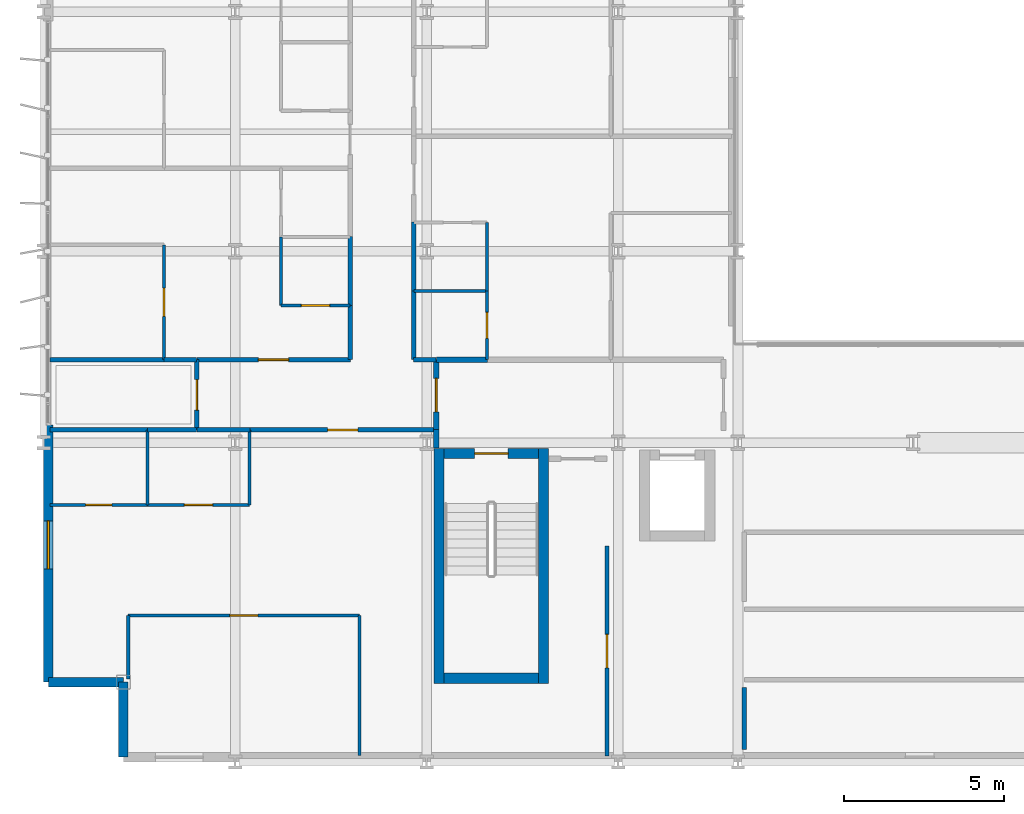
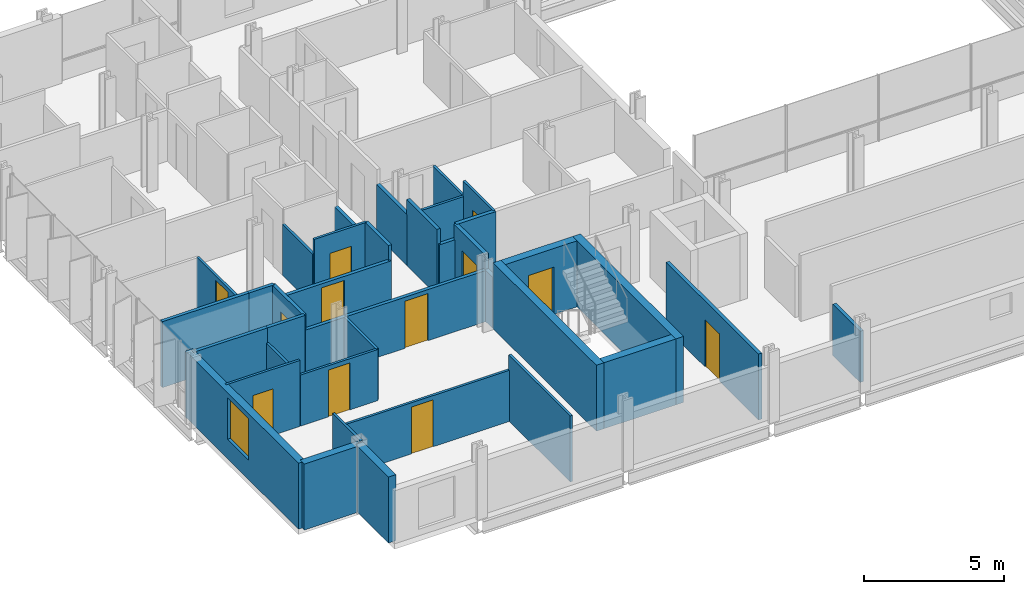
# One storey, part 27 of 39: 38 walls, 12 doors, 1 window, 13 openings.
"""IFC4 building model written with IfcOpenShell, lengths in metres."""

from ifc_helpers import new_model, si_unit, direction, frame, frame_2d, origin, place, context, subcontext, project, spatial, rectangle, extrude, material, layer, layer_set, type_object, element, fill, save


model = new_model("IFC4")

# Units and contexts
model_context = context("Model", 3, precision=1e-05, world=origin(), true_north=direction((0.0, 1.0)))
body_context = subcontext(model_context, "Body", "Model", "MODEL_VIEW")
ifc_project = project(units=[si_unit("LENGTHUNIT", "METRE"), si_unit("AREAUNIT", "SQUARE_METRE"), si_unit("VOLUMEUNIT", "CUBIC_METRE"), si_unit("PLANEANGLEUNIT", "RADIAN"), si_unit("MASSUNIT", "GRAM", prefix="KILO")], contexts=[model_context])

# Site, building, storey
site_placement = place(None, origin())
site = spatial("IfcSite", under=ifc_project, at=site_placement, CompositionType="ELEMENT")
building_placement = place(site_placement, origin())
building = spatial("IfcBuilding", under=site, at=building_placement, Name="Brevholm Reach", CompositionType="ELEMENT")
storey_placement = place(building_placement, frame((0.0, 0.0, 34.199951171875)))
storey = spatial("IfcBuildingStorey", under=building, at=storey_placement, Name="L08", CompositionType="ELEMENT", Elevation=34.199951171875)

# Walls
ifc_material_1 = material(Name="Concrete C60/75", Category="concrete")
ifc_layer_1 = layer(ifc_material_1, 0.320068359375)
ifc_layer_set_1 = layer_set([ifc_layer_1], Name="Concrete C60/75")
wall_type_1 = type_object("IfcWallType", Name="WAL-COR-320", PredefinedType="SHEAR", material=ifc_layer_set_1)
for number, where, z_axis, x_axis, name in (
    (1, (12.389892578125, 2.4599609375, 0.0), (0.0, 0.0, 1.0), (0.0, 1.0, 0.0), "L08 Escape Stair ST-1 Core Wall W"),
    (2, (15.659912109375, 2.4599609375, 0.0), (0.0, 0.0, 1.0), (0.0, 1.0, 0.0), "L08 Escape Stair ST-1 Core Wall E"),
):
    element("IfcWall", number, at=place(storey_placement, frame(where, z_axis=z_axis, x_axis=x_axis)), inside=storey, type_object=wall_type_1, Name=name, PredefinedType="SHEAR", context=body_context, shape_type="SweptSolid", body=[
        extrude(rectangle(XDim=7.360107421875, YDim=0.320068359375, at=frame_2d((3.68017578125, 0.0))), origin(), (0.0, 0.0, 1.0), 2.8701171875),
    ])
wall_1_placement = place(storey_placement, frame((12.550048828125, 2.6201171875, 0.0), z_axis=(0.0, 0.0, 1.0), x_axis=(1.0, 0.0, 0.0)))
element("IfcWall", 3, at=wall_1_placement, inside=storey, type_object=wall_type_1, Name="L08 Escape Stair ST-1 Core Wall S", PredefinedType="SHEAR", context=body_context, shape_type="SweptSolid", body=[
    extrude(rectangle(XDim=2.949951171875, YDim=0.320068359375, at=frame_2d((1.47509765625, 0.0))), origin(), (0.0, 0.0, 1.0), 2.8701171875),
])

# Wall, opening, door
wall_2_placement = place(storey_placement, frame((15.5, 9.659912109375, 0.0), z_axis=(0.0, 0.0, 1.0), x_axis=(-1.0, 0.0, 0.0)))
wall_2 = element("IfcWall", 4, at=wall_2_placement, inside=storey, type_object=wall_type_1, Name="L08 Escape Stair ST-1 Core Wall N", PredefinedType="SHEAR", context=body_context, shape_type="SweptSolid", body=[
    extrude(rectangle(XDim=2.949951171875, YDim=0.320068359375, at=frame_2d((1.47509765625, 0.0))), origin(), (0.0, 0.0, 1.0), 2.8701171875),
])
opening_1_placement = place(wall_2_placement, frame((0.949951171875, 0.0, 0.0)))
opening_1 = element("IfcOpeningElement", 5, at=opening_1_placement, cuts=wall_2, Name="Opening SD-ST-1", PredefinedType="OPENING", context=body_context, shape_type="SweptSolid", body=[
    extrude(rectangle(XDim=1.050048828125, YDim=2.06005859375, at=frame_2d((0.52490234375, 1.030029296875))), frame((0.0, 0.169921875, 0.0), z_axis=(0.0, -1.0, 0.0), x_axis=(1.0, 0.0, 0.0)), (0.0, 0.0, 1.0), 0.340087890625),
])
ifc_material_2 = material(Name="Hardwood-Lipped Steel-Core Fire and Smoke Door", Category="steel")
door_type_1 = type_object("IfcDoorType", Name="DOR-INT-FD60S", OperationType="NOTDEFINED", PredefinedType="DOOR", material=ifc_material_2)
door_1_placement = place(opening_1_placement, origin())
door_1 = element("IfcDoor", 6, at=door_1_placement, inside=storey, type_object=door_type_1, Name="L08 Protected Stair ST-1 Lobby Door", OperationType="SINGLE_SWING_RIGHT", OverallHeight=2.06005859375, OverallWidth=1.050048828125, PredefinedType="DOOR", context=body_context, shape_type="SweptSolid", body=[
    extrude(rectangle(XDim=1.050048828125, YDim=2.06005859375, at=frame_2d((0.52490234375, 1.030029296875))), frame((0.0, 0.02490234375, 0.0), z_axis=(0.0, -1.0, 0.0), x_axis=(1.0, 0.0, 0.0)), (0.0, 0.0, 1.0), 0.050048828125),
])
fill(opening_1, door_1)

# Walls
ifc_material_3 = material(Name="Concrete C40/50", Category="concrete")
ifc_layer_2 = layer(ifc_material_3, 0.300048828125)
ifc_layer_set_2 = layer_set([ifc_layer_2], Name="Concrete C40/50")
wall_type_2 = type_object("IfcWallType", Name="WAL-EXT-300", PredefinedType="STANDARD", material=ifc_layer_set_2)
for number, where, z_axis, x_axis, name in (
    (7, (2.5, 2.5, 0.0), (0.0, 0.0, 1.0), (0.0, -1.0, 0.0), "L08 Facade Wall WAL-L08-CSW1"),
    (8, (0.14990234375, 2.5, 0.0), (0.0, 0.0, 1.0), (1.0, 0.0, 0.0), "L08 Facade Wall WAL-L08-CSW2"),
):
    element("IfcWall", number, at=place(storey_placement, frame(where, z_axis=z_axis, x_axis=x_axis)), inside=storey, type_object=wall_type_2, Name=name, PredefinedType="STANDARD", context=body_context, shape_type="SweptSolid", body=[
        extrude(rectangle(XDim=2.35009765625, YDim=0.300048828125, at=frame_2d((1.175048828125, 0.0))), origin(), (0.0, 0.0, 1.0), 2.8701171875),
    ])

# Wall, opening, window
wall_3_placement = place(storey_placement, frame((0.14990234375, 10.550048828125, 0.0), z_axis=(0.0, 0.0, 1.0), x_axis=(0.0, -1.0, 0.0)))
wall_3 = element("IfcWall", 9, at=wall_3_placement, inside=storey, type_object=wall_type_2, Name="L08 Facade Wall WAL-L08-W-S", PredefinedType="STANDARD", context=body_context, shape_type="SweptSolid", body=[
    extrude(rectangle(XDim=8.050048828125, YDim=0.300048828125, at=frame_2d((4.02490234375, 0.0))), origin(), (0.0, 0.0, 1.0), 2.8701171875),
])
opening_2_placement = place(wall_3_placement, frame((3.0, 0.0, 0.85009765625)))
opening_2 = element("IfcOpeningElement", 10, at=opening_2_placement, cuts=wall_3, Name="Opening WN-05", PredefinedType="OPENING", context=body_context, shape_type="SweptSolid", body=[
    extrude(rectangle(XDim=1.5, YDim=1.800048828125, at=frame_2d((0.75, 0.89990234375))), frame((0.0, 0.159912109375, 0.0), z_axis=(0.0, -1.0, 0.0), x_axis=(1.0, 0.0, 0.0)), (0.0, 0.0, 1.0), 0.320068359375),
])
ifc_material_4 = material(Name="Dark Anodised Aluminium and Solar-Control IGU Glass", Category="aluminium")
window_type = type_object("IfcWindowType", Name="WIN-RES-1500", PartitioningType="SINGLE_PANEL", PredefinedType="WINDOW", material=ifc_material_4)
window_placement = place(opening_2_placement, origin())
window = element("IfcWindow", 11, at=window_placement, inside=storey, type_object=window_type, Name="L08 Window WIN-L08-WS-1", OverallHeight=1.800048828125, OverallWidth=1.5, PartitioningType="SINGLE_PANEL", PredefinedType="WINDOW", context=body_context, shape_type="SweptSolid", body=[
    extrude(rectangle(XDim=1.5, YDim=1.800048828125, at=frame_2d((0.75, 0.89990234375))), frame((0.0, 0.030029296875, 0.0), z_axis=(0.0, -1.0, 0.0), x_axis=(1.0, 0.0, 0.0)), (0.0, 0.0, 1.0), 0.06005859375),
])
fill(opening_2, window)

# Wall
ifc_material_5 = material(Name="Moisture-Resistant Acoustic Gypsum Stud Partition 100 mm", Category="gypsum")
ifc_layer_3 = layer(ifc_material_5, 0.10009765625)
ifc_layer_set_3 = layer_set([ifc_layer_3], Name="Moisture-Resistant Acoustic Gypsum Stud Partition 100 mm")
wall_type_3 = type_object("IfcWallType", Name="WAL-PRT-100", PredefinedType="PARTITIONING", material=ifc_layer_set_3)
wall_4_placement = place(storey_placement, frame((3.25, 8.053955078125, 0.0), z_axis=(0.0, 0.0, 1.0), x_axis=(0.0, 1.0, 0.0)))
element("IfcWall", 12, at=wall_4_placement, inside=storey, type_object=wall_type_3, Name="L08 Internal Partition 065", PredefinedType="PARTITIONING", context=body_context, shape_type="SweptSolid", body=[
    extrude(rectangle(XDim=2.345947265625, YDim=0.10009765625, at=frame_2d((1.1728515625, 0.0))), origin(), (0.0, 0.0, 1.0), 2.224853515625),
])

# Wall, opening, door
wall_5_placement = place(storey_placement, frame((0.199951171875, 8.053955078125, 0.0), z_axis=(0.0, 0.0, 1.0), x_axis=(1.0, 0.0, 0.0)))
wall_5 = element("IfcWall", 13, at=wall_5_placement, inside=storey, type_object=wall_type_3, Name="L08 Internal Partition 066", PredefinedType="PARTITIONING", context=body_context, shape_type="SweptSolid", body=[
    extrude(rectangle(XDim=3.050048828125, YDim=0.10009765625, at=frame_2d((1.52490234375, 0.0))), origin(), (0.0, 0.0, 1.0), 2.8701171875),
])
opening_3_placement = place(wall_5_placement, frame((1.114990234375, 0.0, 0.0)))
opening_3 = element("IfcOpeningElement", 14, at=opening_3_placement, cuts=wall_5, Name="Opening ID-03", PredefinedType="OPENING", context=body_context, shape_type="SweptSolid", body=[
    extrude(rectangle(XDim=0.820068359375, YDim=2.02001953125, at=frame_2d((0.41015625, 1.010009765625))), frame((0.0, 0.06005859375, 0.0), z_axis=(0.0, -1.0, 0.0), x_axis=(1.0, 0.0, 0.0)), (0.0, 0.0, 1.0), 0.1201171875),
])
ifc_material_6 = material(Name="Moisture-Resistant Painted Timber Internal Bathroom Door", Category="wood")
door_type_2 = type_object("IfcDoorType", Name="DOR-BATH-820", OperationType="NOTDEFINED", PredefinedType="DOOR", material=ifc_material_6)
door_2_placement = place(opening_3_placement, origin())
door_2 = element("IfcDoor", 15, at=door_2_placement, inside=storey, type_object=door_type_2, Name="L08 Internal Door 025", OperationType="SINGLE_SWING_LEFT", OverallHeight=2.02001953125, OverallWidth=0.820068359375, PredefinedType="DOOR", context=body_context, shape_type="SweptSolid", body=[
    extrude(rectangle(XDim=0.820068359375, YDim=2.02001953125, at=frame_2d((0.41015625, 1.010009765625))), frame((0.0, 0.02490234375, 0.0), z_axis=(0.0, -1.0, 0.0), x_axis=(1.0, 0.0, 0.0)), (0.0, 0.0, 1.0), 0.050048828125),
])
fill(opening_3, door_2)

wall_6_placement = place(storey_placement, frame((3.25390625, 8.053955078125, 0.0), z_axis=(0.0, 0.0, 1.0), x_axis=(1.0, 0.0, 0.0)))
wall_6 = element("IfcWall", 16, at=wall_6_placement, inside=storey, type_object=wall_type_3, Name="L08 Internal Partition 068", PredefinedType="PARTITIONING", context=body_context, shape_type="SweptSolid", body=[
    extrude(rectangle(XDim=3.196044921875, YDim=0.10009765625, at=frame_2d((1.59814453125, 0.0))), origin(), (0.0, 0.0, 1.0), 2.224853515625),
])
opening_4_placement = place(wall_6_placement, frame((1.157958984375, 0.0, 0.0)))
opening_4 = element("IfcOpeningElement", 17, at=opening_4_placement, cuts=wall_6, Name="Opening ID-01", PredefinedType="OPENING", context=body_context, shape_type="SweptSolid", body=[
    extrude(rectangle(XDim=0.8798828125, YDim=2.0400390625, at=frame_2d((0.43994140625, 1.02001953125))), frame((0.0, 0.06005859375, 0.0), z_axis=(0.0, -1.0, 0.0), x_axis=(1.0, 0.0, 0.0)), (0.0, 0.0, 1.0), 0.1201171875),
])
ifc_material_7 = material(Name="Lacquered Ash Solid-Core Acoustic Internal Door", Category="timber")
door_type_3 = type_object("IfcDoorType", Name="DOR-INT-880", OperationType="NOTDEFINED", PredefinedType="DOOR", material=ifc_material_7)
door_3_placement = place(opening_4_placement, origin())
door_3 = element("IfcDoor", 18, at=door_3_placement, inside=storey, type_object=door_type_3, Name="L08 Internal Door 026", OperationType="SINGLE_SWING_RIGHT", OverallHeight=2.0400390625, OverallWidth=0.8798828125, PredefinedType="DOOR", context=body_context, shape_type="SweptSolid", body=[
    extrude(rectangle(XDim=0.8798828125, YDim=2.0400390625, at=frame_2d((0.43994140625, 1.02001953125))), frame((0.0, 0.02490234375, 0.0), z_axis=(0.0, -1.0, 0.0), x_axis=(1.0, 0.0, 0.0)), (0.0, 0.0, 1.0), 0.050048828125),
])
fill(opening_4, door_3)

# Walls
wall_7_placement = place(storey_placement, frame((6.449951171875, 8.053955078125, 0.0), z_axis=(0.0, 0.0, 1.0), x_axis=(0.0, 1.0, 0.0)))
element("IfcWall", 19, at=wall_7_placement, inside=storey, type_object=wall_type_3, Name="L08 Internal Partition 069", PredefinedType="PARTITIONING", context=body_context, shape_type="SweptSolid", body=[
    extrude(rectangle(XDim=2.342041015625, YDim=0.10009765625, at=frame_2d((1.1708984375, 0.0))), origin(), (0.0, 0.0, 1.0), 2.224853515625),
])
wall_8_placement = place(storey_placement, frame((2.64990234375, 2.599365234375, 0.0), z_axis=(0.0, 0.0, 1.0), x_axis=(0.0, 1.0, 0.0)))
element("IfcWall", 20, at=wall_8_placement, inside=storey, type_object=wall_type_3, Name="L08 Internal Partition 071", PredefinedType="PARTITIONING", context=body_context, shape_type="SweptSolid", body=[
    extrude(rectangle(XDim=1.986572265625, YDim=0.10009765625, at=frame_2d((0.9931640625, 0.0))), origin(), (0.0, 0.0, 1.0), 2.8701171875),
])
wall_9_placement = place(storey_placement, frame((9.89990234375, 0.199951171875, 0.0), z_axis=(0.0, 0.0, 1.0), x_axis=(0.0, 1.0, 0.0)))
element("IfcWall", 21, at=wall_9_placement, inside=storey, type_object=wall_type_3, Name="L08 Internal Partition 072", PredefinedType="PARTITIONING", context=body_context, shape_type="SweptSolid", body=[
    extrude(rectangle(XDim=4.385986328125, YDim=0.10009765625, at=frame_2d((2.19287109375, 0.0))), origin(), (0.0, 0.0, 1.0), 2.8701171875),
])

# Wall, opening, door
wall_10_placement = place(storey_placement, frame((2.64990234375, 4.5859375, 0.0), z_axis=(0.0, 0.0, 1.0), x_axis=(1.0, 0.0, 0.0)))
wall_10 = element("IfcWall", 22, at=wall_10_placement, inside=storey, type_object=wall_type_3, Name="L08 Internal Partition 073", PredefinedType="PARTITIONING", context=body_context, shape_type="SweptSolid", body=[
    extrude(rectangle(XDim=7.25, YDim=0.10009765625, at=frame_2d((3.625, 0.0))), origin(), (0.0, 0.0, 1.0), 2.224853515625),
])
opening_5_placement = place(wall_10_placement, frame((3.18505859375, 0.0, 0.0)))
opening_5 = element("IfcOpeningElement", 23, at=opening_5_placement, cuts=wall_10, Name="Opening ID-01", PredefinedType="OPENING", context=body_context, shape_type="SweptSolid", body=[
    extrude(rectangle(XDim=0.8798828125, YDim=2.0400390625, at=frame_2d((0.43994140625, 1.02001953125))), frame((0.0, 0.06005859375, 0.0), z_axis=(0.0, -1.0, 0.0), x_axis=(1.0, 0.0, 0.0)), (0.0, 0.0, 1.0), 0.1201171875),
])
door_4_placement = place(opening_5_placement, origin())
door_4 = element("IfcDoor", 24, at=door_4_placement, inside=storey, type_object=door_type_3, Name="L08 Internal Door 027", OperationType="SINGLE_SWING_LEFT", OverallHeight=2.0400390625, OverallWidth=0.8798828125, PredefinedType="DOOR", context=body_context, shape_type="SweptSolid", body=[
    extrude(rectangle(XDim=0.8798828125, YDim=2.0400390625, at=frame_2d((0.43994140625, 1.02001953125))), frame((0.0, 0.02490234375, 0.0), z_axis=(0.0, -1.0, 0.0), x_axis=(1.0, 0.0, 0.0)), (0.0, 0.0, 1.0), 0.050048828125),
])
fill(opening_5, door_4)

wall_11_placement = place(storey_placement, frame((7.43798828125, 14.300048828125, 0.0), z_axis=(0.0, 0.0, 1.0), x_axis=(1.0, 0.0, 0.0)))
wall_11 = element("IfcWall", 25, at=wall_11_placement, inside=storey, type_object=wall_type_3, Name="L08 Internal Partition 089", PredefinedType="PARTITIONING", context=body_context, shape_type="SweptSolid", body=[
    extrude(rectangle(XDim=2.157958984375, YDim=0.10009765625, at=frame_2d((1.0791015625, 0.0))), origin(), (0.0, 0.0, 1.0), 2.8701171875),
])
opening_6_placement = place(wall_11_placement, frame((0.638916015625, 0.0, 0.0)))
opening_6 = element("IfcOpeningElement", 26, at=opening_6_placement, cuts=wall_11, Name="Opening ID-01", PredefinedType="OPENING", context=body_context, shape_type="SweptSolid", body=[
    extrude(rectangle(XDim=0.8798828125, YDim=2.0400390625, at=frame_2d((0.43994140625, 1.02001953125))), frame((0.0, 0.06005859375, 0.0), z_axis=(0.0, -1.0, 0.0), x_axis=(1.0, 0.0, 0.0)), (0.0, 0.0, 1.0), 0.1201171875),
])
door_5_placement = place(opening_6_placement, origin())
door_5 = element("IfcDoor", 27, at=door_5_placement, inside=storey, type_object=door_type_3, Name="L08 Internal Door 032", OperationType="SINGLE_SWING_RIGHT", OverallHeight=2.0400390625, OverallWidth=0.8798828125, PredefinedType="DOOR", context=body_context, shape_type="SweptSolid", body=[
    extrude(rectangle(XDim=0.8798828125, YDim=2.0400390625, at=frame_2d((0.43994140625, 1.02001953125))), frame((0.0, 0.02490234375, 0.0), z_axis=(0.0, -1.0, 0.0), x_axis=(1.0, 0.0, 0.0)), (0.0, 0.0, 1.0), 0.050048828125),
])
fill(opening_6, door_5)

# Wall
wall_12_placement = place(storey_placement, frame((7.43798828125, 14.300048828125, 0.0), z_axis=(0.0, 0.0, 1.0), x_axis=(0.0, 1.0, 0.0)))
element("IfcWall", 28, at=wall_12_placement, inside=storey, type_object=wall_type_3, Name="L08 Internal Partition 090", PredefinedType="PARTITIONING", context=body_context, shape_type="SweptSolid", body=[
    extrude(rectangle(XDim=2.14599609375, YDim=0.10009765625, at=frame_2d((1.072998046875, 0.0))), origin(), (0.0, 0.0, 1.0), 2.224853515625),
])

# Wall, opening, door
wall_13_placement = place(storey_placement, frame((3.77197265625, 12.60400390625, 0.0), z_axis=(0.0, 0.0, 1.0), x_axis=(0.0, 1.0, 0.0)))
wall_13 = element("IfcWall", 29, at=wall_13_placement, inside=storey, type_object=wall_type_3, Name="L08 Internal Partition 091", PredefinedType="PARTITIONING", context=body_context, shape_type="SweptSolid", body=[
    extrude(rectangle(XDim=3.595947265625, YDim=0.10009765625, at=frame_2d((1.7978515625, 0.0))), origin(), (0.0, 0.0, 1.0), 2.224853515625),
])
opening_7_placement = place(wall_13_placement, frame((1.35791015625, 0.0, 0.0)))
opening_7 = element("IfcOpeningElement", 30, at=opening_7_placement, cuts=wall_13, Name="Opening ID-01", PredefinedType="OPENING", context=body_context, shape_type="SweptSolid", body=[
    extrude(rectangle(XDim=0.8798828125, YDim=2.0400390625, at=frame_2d((0.43994140625, 1.02001953125))), frame((0.0, 0.06005859375, 0.0), z_axis=(0.0, -1.0, 0.0), x_axis=(1.0, 0.0, 0.0)), (0.0, 0.0, 1.0), 0.1201171875),
])
door_6_placement = place(opening_7_placement, origin())
door_6 = element("IfcDoor", 31, at=door_6_placement, inside=storey, type_object=door_type_3, Name="L08 Internal Door 033", OperationType="SINGLE_SWING_LEFT", OverallHeight=2.0400390625, OverallWidth=0.8798828125, PredefinedType="DOOR", context=body_context, shape_type="SweptSolid", body=[
    extrude(rectangle(XDim=0.8798828125, YDim=2.0400390625, at=frame_2d((0.43994140625, 1.02001953125))), frame((0.0, 0.02490234375, 0.0), z_axis=(0.0, -1.0, 0.0), x_axis=(1.0, 0.0, 0.0)), (0.0, 0.0, 1.0), 0.050048828125),
])
fill(opening_7, door_6)

# Wall
wall_14_placement = place(storey_placement, frame((11.60400390625, 14.75, 0.0), z_axis=(0.0, 0.0, 1.0), x_axis=(1.0, 0.0, 0.0)))
element("IfcWall", 32, at=wall_14_placement, inside=storey, type_object=wall_type_3, Name="L08 Internal Partition 110", PredefinedType="PARTITIONING", context=body_context, shape_type="SweptSolid", body=[
    extrude(rectangle(XDim=2.284912109375, YDim=0.10009765625, at=frame_2d((1.142578125, 0.0))), origin(), (0.0, 0.0, 1.0), 2.224853515625),
])

# Wall, opening, door
wall_15_placement = place(storey_placement, frame((13.888916015625, 12.60400390625, 0.0), z_axis=(0.0, 0.0, 1.0), x_axis=(0.0, 1.0, 0.0)))
wall_15 = element("IfcWall", 33, at=wall_15_placement, inside=storey, type_object=wall_type_3, Name="L08 Internal Partition 111", PredefinedType="PARTITIONING", context=body_context, shape_type="SweptSolid", body=[
    extrude(rectangle(XDim=2.14599609375, YDim=0.10009765625, at=frame_2d((1.072998046875, 0.0))), origin(), (0.0, 0.0, 1.0), 2.8701171875),
])
opening_8_placement = place(wall_15_placement, frame((0.6630859375, 0.0, 0.0)))
opening_8 = element("IfcOpeningElement", 34, at=opening_8_placement, cuts=wall_15, Name="Opening ID-03", PredefinedType="OPENING", context=body_context, shape_type="SweptSolid", body=[
    extrude(rectangle(XDim=0.820068359375, YDim=2.02001953125, at=frame_2d((0.41015625, 1.010009765625))), frame((0.0, 0.06005859375, 0.0), z_axis=(0.0, -1.0, 0.0), x_axis=(1.0, 0.0, 0.0)), (0.0, 0.0, 1.0), 0.1201171875),
])
door_7_placement = place(opening_8_placement, origin())
door_7 = element("IfcDoor", 35, at=door_7_placement, inside=storey, type_object=door_type_2, Name="L08 Internal Door 040", OperationType="SINGLE_SWING_RIGHT", OverallHeight=2.02001953125, OverallWidth=0.820068359375, PredefinedType="DOOR", context=body_context, shape_type="SweptSolid", body=[
    extrude(rectangle(XDim=0.820068359375, YDim=2.02001953125, at=frame_2d((0.41015625, 1.010009765625))), frame((0.0, 0.02490234375, 0.0), z_axis=(0.0, -1.0, 0.0), x_axis=(1.0, 0.0, 0.0)), (0.0, 0.0, 1.0), 0.050048828125),
])
fill(opening_8, door_7)

# Wall
wall_16_placement = place(storey_placement, frame((13.888916015625, 14.75390625, 0.0), z_axis=(0.0, 0.0, 1.0), x_axis=(0.0, 1.0, 0.0)))
element("IfcWall", 36, at=wall_16_placement, inside=storey, type_object=wall_type_3, Name="L08 Internal Partition 112", PredefinedType="PARTITIONING", context=body_context, shape_type="SweptSolid", body=[
    extrude(rectangle(XDim=2.14599609375, YDim=0.10009765625, at=frame_2d((1.072998046875, 0.0))), origin(), (0.0, 0.0, 1.0), 2.224853515625),
])

# Wall, opening, door
ifc_material_8 = material(Name="Twin-Stud Acoustic Fire-Rated Gypsum Partition 140 mm", Category="gypsum")
ifc_layer_4 = layer(ifc_material_8, 0.139892578125)
ifc_layer_set_4 = layer_set([ifc_layer_4], Name="Twin-Stud Acoustic Fire-Rated Gypsum Partition 140 mm")
wall_type_4 = type_object("IfcWallType", Name="WAL-PRT-140", PredefinedType="PARTITIONING", material=ifc_layer_set_4)
wall_17_placement = place(storey_placement, frame((17.64990234375, 0.179931640625, 0.0), z_axis=(0.0, 0.0, 1.0), x_axis=(0.0, 1.0, 0.0)))
wall_17 = element("IfcWall", 37, at=wall_17_placement, inside=storey, type_object=wall_type_4, Name="L08 Internal Partition 006", PredefinedType="PARTITIONING", context=body_context, shape_type="SweptSolid", body=[
    extrude(rectangle(XDim=6.581298828125, YDim=0.139892578125, at=frame_2d((3.29052734375, 0.0))), origin(), (0.0, 0.0, 1.0), 2.8701171875),
])
opening_9_placement = place(wall_17_placement, frame((2.765625, 0.0, 0.0)))
opening_9 = element("IfcOpeningElement", 38, at=opening_9_placement, cuts=wall_17, Name="Opening FD-01", PredefinedType="OPENING", context=body_context, shape_type="SweptSolid", body=[
    extrude(rectangle(XDim=1.050048828125, YDim=2.06005859375, at=frame_2d((0.52490234375, 1.030029296875))), frame((0.0, 0.079833984375, 0.0), z_axis=(0.0, -1.0, 0.0), x_axis=(1.0, 0.0, 0.0)), (0.0, 0.0, 1.0), 0.159912109375),
])
door_8_placement = place(opening_9_placement, origin())
door_8 = element("IfcDoor", 39, at=door_8_placement, inside=storey, type_object=door_type_1, Name="L08 Internal Door 004", OperationType="SINGLE_SWING_RIGHT", OverallHeight=2.06005859375, OverallWidth=1.050048828125, PredefinedType="DOOR", context=body_context, shape_type="SweptSolid", body=[
    extrude(rectangle(XDim=1.050048828125, YDim=2.06005859375, at=frame_2d((0.52490234375, 1.030029296875))), frame((0.0, 0.02490234375, 0.0), z_axis=(0.0, -1.0, 0.0), x_axis=(1.0, 0.0, 0.0)), (0.0, 0.0, 1.0), 0.050048828125),
])
fill(opening_9, door_8)

# Wall
wall_18_placement = place(storey_placement, frame((4.800048828125, 10.39990234375, 0.0), z_axis=(0.0, 0.0, 1.0), x_axis=(1.0, 0.0, 0.0)))
element("IfcWall", 40, at=wall_18_placement, inside=storey, type_object=wall_type_4, Name="L08 Internal Partition 022", PredefinedType="PARTITIONING", context=body_context, shape_type="SweptSolid", body=[
    extrude(rectangle(XDim=1.6611328125, YDim=0.139892578125, at=frame_2d((0.83056640625, 0.0))), origin(), (0.0, 0.0, 1.0), 2.224853515625),
])

# Wall, opening, door
wall_19_placement = place(storey_placement, frame((6.442626953125, 10.39990234375, 0.0), z_axis=(0.0, 0.0, 1.0), x_axis=(1.0, 0.0, 0.0)))
wall_19 = element("IfcWall", 41, at=wall_19_placement, inside=storey, type_object=wall_type_4, Name="L08 Internal Partition 023", PredefinedType="PARTITIONING", context=body_context, shape_type="SweptSolid", body=[
    extrude(rectangle(XDim=5.853271484375, YDim=0.139892578125, at=frame_2d((2.9267578125, 0.0))), origin(), (0.0, 0.0, 1.0), 2.224853515625),
])
opening_10_placement = place(wall_19_placement, frame((2.45166015625, 0.0, 0.0)))
opening_10 = element("IfcOpeningElement", 42, at=opening_10_placement, cuts=wall_19, Name="Opening ID-30", PredefinedType="OPENING", context=body_context, shape_type="SweptSolid", body=[
    extrude(rectangle(XDim=0.949951171875, YDim=2.050048828125, at=frame_2d((0.47509765625, 1.02490234375))), frame((0.0, 0.079833984375, 0.0), z_axis=(0.0, -1.0, 0.0), x_axis=(1.0, 0.0, 0.0)), (0.0, 0.0, 1.0), 0.159912109375),
])
ifc_material_9 = material(Name="European Oak Veneered Solid-Core Fire Entrance Door", Category="timber")
door_type_4 = type_object("IfcDoorType", Name="DOR-FLT-FD30S", OperationType="NOTDEFINED", PredefinedType="DOOR", material=ifc_material_9)
door_9_placement = place(opening_10_placement, origin())
door_9 = element("IfcDoor", 43, at=door_9_placement, inside=storey, type_object=door_type_4, Name="L08 Internal Door 013", OperationType="SINGLE_SWING_LEFT", OverallHeight=2.050048828125, OverallWidth=0.949951171875, PredefinedType="DOOR", context=body_context, shape_type="SweptSolid", body=[
    extrude(rectangle(XDim=0.949951171875, YDim=2.050048828125, at=frame_2d((0.47509765625, 1.02490234375))), frame((0.0, 0.02490234375, 0.0), z_axis=(0.0, -1.0, 0.0), x_axis=(1.0, 0.0, 0.0)), (0.0, 0.0, 1.0), 0.050048828125),
])
fill(opening_10, door_9)

wall_20_placement = place(storey_placement, frame((4.800048828125, 10.39990234375, 0.0), z_axis=(0.0, 0.0, 1.0), x_axis=(0.0, 1.0, 0.0)))
wall_20 = element("IfcWall", 44, at=wall_20_placement, inside=storey, type_object=wall_type_4, Name="L08 Internal Partition 024", PredefinedType="PARTITIONING", context=body_context, shape_type="SweptSolid", body=[
    extrude(rectangle(XDim=2.2001953125, YDim=0.139892578125, at=frame_2d((1.10009765625, 0.0))), origin(), (0.0, 0.0, 1.0), 2.8701171875),
])
opening_11_placement = place(wall_20_placement, frame((0.625, 0.0, 0.0)))
opening_11 = element("IfcOpeningElement", 45, at=opening_11_placement, cuts=wall_20, Name="Opening ID-30", PredefinedType="OPENING", context=body_context, shape_type="SweptSolid", body=[
    extrude(rectangle(XDim=0.949951171875, YDim=2.050048828125, at=frame_2d((0.47509765625, 1.02490234375))), frame((0.0, 0.079833984375, 0.0), z_axis=(0.0, -1.0, 0.0), x_axis=(1.0, 0.0, 0.0)), (0.0, 0.0, 1.0), 0.159912109375),
])
door_10_placement = place(opening_11_placement, origin())
door_10 = element("IfcDoor", 46, at=door_10_placement, inside=storey, type_object=door_type_4, Name="L08 Internal Door 014", OperationType="SINGLE_SWING_RIGHT", OverallHeight=2.050048828125, OverallWidth=0.949951171875, PredefinedType="DOOR", context=body_context, shape_type="SweptSolid", body=[
    extrude(rectangle(XDim=0.949951171875, YDim=2.050048828125, at=frame_2d((0.47509765625, 1.02490234375))), frame((0.0, 0.02490234375, 0.0), z_axis=(0.0, -1.0, 0.0), x_axis=(1.0, 0.0, 0.0)), (0.0, 0.0, 1.0), 0.050048828125),
])
fill(opening_11, door_10)

wall_21_placement = place(storey_placement, frame((4.800048828125, 12.60009765625, 0.0), z_axis=(0.0, 0.0, 1.0), x_axis=(1.0, 0.0, 0.0)))
wall_21 = element("IfcWall", 47, at=wall_21_placement, inside=storey, type_object=wall_type_4, Name="L08 Internal Partition 025", PredefinedType="PARTITIONING", context=body_context, shape_type="SweptSolid", body=[
    extrude(rectangle(XDim=4.807373046875, YDim=0.139892578125, at=frame_2d((2.40380859375, 0.0))), origin(), (0.0, 0.0, 1.0), 2.224853515625),
])
opening_12_placement = place(wall_21_placement, frame((1.9287109375, 0.0, 0.0)))
opening_12 = element("IfcOpeningElement", 48, at=opening_12_placement, cuts=wall_21, Name="Opening ID-30", PredefinedType="OPENING", context=body_context, shape_type="SweptSolid", body=[
    extrude(rectangle(XDim=0.949951171875, YDim=2.050048828125, at=frame_2d((0.47509765625, 1.02490234375))), frame((0.0, 0.079833984375, 0.0), z_axis=(0.0, -1.0, 0.0), x_axis=(1.0, 0.0, 0.0)), (0.0, 0.0, 1.0), 0.159912109375),
])
door_11_placement = place(opening_12_placement, origin())
door_11 = element("IfcDoor", 49, at=door_11_placement, inside=storey, type_object=door_type_4, Name="L08 Internal Door 015", OperationType="SINGLE_SWING_LEFT", OverallHeight=2.050048828125, OverallWidth=0.949951171875, PredefinedType="DOOR", context=body_context, shape_type="SweptSolid", body=[
    extrude(rectangle(XDim=0.949951171875, YDim=2.050048828125, at=frame_2d((0.47509765625, 1.02490234375))), frame((0.0, 0.02490234375, 0.0), z_axis=(0.0, -1.0, 0.0), x_axis=(1.0, 0.0, 0.0)), (0.0, 0.0, 1.0), 0.050048828125),
])
fill(opening_12, door_11)

# Walls
wall_22_placement = place(storey_placement, frame((11.5927734375, 12.60009765625, 0.0), z_axis=(0.0, 0.0, 1.0), x_axis=(1.0, 0.0, 0.0)))
element("IfcWall", 50, at=wall_22_placement, inside=storey, type_object=wall_type_4, Name="L08 Internal Partition 026", PredefinedType="PARTITIONING", context=body_context, shape_type="SweptSolid", body=[
    extrude(rectangle(XDim=0.703125, YDim=0.139892578125, at=frame_2d((0.3515625, 0.0))), origin(), (0.0, 0.0, 1.0), 2.224853515625),
])
wall_23_placement = place(storey_placement, frame((9.60009765625, 14.288818359375, 0.0), z_axis=(0.0, 0.0, 1.0), x_axis=(0.0, 1.0, 0.0)))
element("IfcWall", 51, at=wall_23_placement, inside=storey, type_object=wall_type_4, Name="L08 Internal Partition 031", PredefinedType="PARTITIONING", context=body_context, shape_type="SweptSolid", body=[
    extrude(rectangle(XDim=2.16845703125, YDim=0.139892578125, at=frame_2d((1.084228515625, 0.0))), origin(), (0.0, 0.0, 1.0), 2.224853515625),
])
wall_24_placement = place(storey_placement, frame((9.60009765625, 12.60400390625, 0.0), z_axis=(0.0, 0.0, 1.0), x_axis=(0.0, 1.0, 0.0)))
element("IfcWall", 52, at=wall_24_placement, inside=storey, type_object=wall_type_4, Name="L08 Internal Partition 032", PredefinedType="PARTITIONING", context=body_context, shape_type="SweptSolid", body=[
    extrude(rectangle(XDim=1.703369140625, YDim=0.139892578125, at=frame_2d((0.8515625, 0.0))), origin(), (0.0, 0.0, 1.0), 2.8701171875),
])
wall_25_placement = place(storey_placement, frame((11.60009765625, 12.60400390625, 0.0), z_axis=(0.0, 0.0, 1.0), x_axis=(0.0, 1.0, 0.0)))
element("IfcWall", 53, at=wall_25_placement, inside=storey, type_object=wall_type_4, Name="L08 Internal Partition 039", PredefinedType="PARTITIONING", context=body_context, shape_type="SweptSolid", body=[
    extrude(rectangle(XDim=2.1572265625, YDim=0.139892578125, at=frame_2d((1.07861328125, 0.0))), origin(), (0.0, 0.0, 1.0), 2.8701171875),
])
wall_26_placement = place(storey_placement, frame((11.60009765625, 14.74267578125, 0.0), z_axis=(0.0, 0.0, 1.0), x_axis=(0.0, 1.0, 0.0)))
element("IfcWall", 54, at=wall_26_placement, inside=storey, type_object=wall_type_4, Name="L08 Internal Partition 040", PredefinedType="PARTITIONING", context=body_context, shape_type="SweptSolid", body=[
    extrude(rectangle(XDim=2.168701171875, YDim=0.139892578125, at=frame_2d((1.08447265625, 0.0))), origin(), (0.0, 0.0, 1.0), 2.224853515625),
])
wall_27_placement = place(storey_placement, frame((0.199951171875, 10.39990234375, 0.0), z_axis=(0.0, 0.0, 1.0), x_axis=(1.0, 0.0, 0.0)))
element("IfcWall", 55, at=wall_27_placement, inside=storey, type_object=wall_type_4, Name="L08 Internal Partition 067", PredefinedType="PARTITIONING", context=body_context, shape_type="SweptSolid", body=[
    extrude(rectangle(XDim=3.050048828125, YDim=0.139892578125, at=frame_2d((1.52490234375, 0.0))), origin(), (0.0, 0.0, 1.0), 2.8701171875),
])
wall_28_placement = place(storey_placement, frame((3.25390625, 10.39990234375, 0.0), z_axis=(0.0, 0.0, 1.0), x_axis=(1.0, 0.0, 0.0)))
element("IfcWall", 56, at=wall_28_placement, inside=storey, type_object=wall_type_4, Name="L08 Internal Partition 070", PredefinedType="PARTITIONING", context=body_context, shape_type="SweptSolid", body=[
    extrude(rectangle(XDim=1.5419921875, YDim=0.139892578125, at=frame_2d((0.77099609375, 0.0))), origin(), (0.0, 0.0, 1.0), 2.8701171875),
])
wall_29_placement = place(storey_placement, frame((0.199951171875, 12.60009765625, 0.0), z_axis=(0.0, 0.0, 1.0), x_axis=(1.0, 0.0, 0.0)))
element("IfcWall", 57, at=wall_29_placement, inside=storey, type_object=wall_type_4, Name="L08 Internal Partition 074", PredefinedType="PARTITIONING", context=body_context, shape_type="SweptSolid", body=[
    extrude(rectangle(XDim=3.583251953125, YDim=0.139892578125, at=frame_2d((1.79150390625, 0.0))), origin(), (0.0, 0.0, 1.0), 2.8701171875),
])
wall_30_placement = place(storey_placement, frame((3.7646484375, 12.60009765625, 0.0), z_axis=(0.0, 0.0, 1.0), x_axis=(1.0, 0.0, 0.0)))
element("IfcWall", 58, at=wall_30_placement, inside=storey, type_object=wall_type_4, Name="L08 Internal Partition 075", PredefinedType="PARTITIONING", context=body_context, shape_type="SweptSolid", body=[
    extrude(rectangle(XDim=1.03125, YDim=0.139892578125, at=frame_2d((0.515625, 0.0))), origin(), (0.0, 0.0, 1.0), 2.8701171875),
])
wall_31_placement = place(storey_placement, frame((21.949951171875, 0.389892578125, 0.0), z_axis=(0.0, 0.0, 1.0), x_axis=(0.0, 1.0, 0.0)))
element("IfcWall", 59, at=wall_31_placement, inside=storey, type_object=wall_type_4, Name="L08 Internal Partition 162", PredefinedType="PARTITIONING", context=body_context, shape_type="SweptSolid", body=[
    extrude(rectangle(XDim=1.947021484375, YDim=0.139892578125, at=frame_2d((0.9736328125, 0.0))), origin(), (0.0, 0.0, 1.0), 2.224853515625),
])

# Wall, opening, door
ifc_material_10 = material(Name="Twin-Frame Fire-Rated Gypsum Board and Mineral Wool 160 mm", Category="gypsum")
ifc_layer_5 = layer(ifc_material_10, 0.159912109375)
ifc_layer_set_5 = layer_set([ifc_layer_5], Name="Twin-Frame Fire-Rated Gypsum Board and Mineral Wool 160 mm")
wall_type_5 = type_object("IfcWallType", Name="WAL-PRT-160", PredefinedType="PARTITIONING", material=ifc_layer_set_5)
wall_32_placement = place(storey_placement, frame((12.300048828125, 10.388671875, 0.0), z_axis=(0.0, 0.0, 1.0), x_axis=(0.0, 1.0, 0.0)))
wall_32 = element("IfcWall", 60, at=wall_32_placement, inside=storey, type_object=wall_type_5, Name="L08 Internal Partition 012", PredefinedType="PARTITIONING", context=body_context, shape_type="SweptSolid", body=[
    extrude(rectangle(XDim=2.21142578125, YDim=0.159912109375, at=frame_2d((1.105712890625, 0.0))), origin(), (0.0, 0.0, 1.0), 2.8701171875),
])
opening_13_placement = place(wall_32_placement, frame((0.58056640625, 0.0, 0.0)))
opening_13 = element("IfcOpeningElement", 61, at=opening_13_placement, cuts=wall_32, Name="Opening FD-01", PredefinedType="OPENING", context=body_context, shape_type="SweptSolid", body=[
    extrude(rectangle(XDim=1.050048828125, YDim=2.06005859375, at=frame_2d((0.52490234375, 1.030029296875))), frame((0.0, 0.08984375, 0.0), z_axis=(0.0, -1.0, 0.0), x_axis=(1.0, 0.0, 0.0)), (0.0, 0.0, 1.0), 0.179931640625),
])
door_12_placement = place(opening_13_placement, origin())
door_12 = element("IfcDoor", 62, at=door_12_placement, inside=storey, type_object=door_type_1, Name="L08 Internal Door 009", OperationType="SINGLE_SWING_LEFT", OverallHeight=2.06005859375, OverallWidth=1.050048828125, PredefinedType="DOOR", context=body_context, shape_type="SweptSolid", body=[
    extrude(rectangle(XDim=1.050048828125, YDim=2.06005859375, at=frame_2d((0.52490234375, 1.030029296875))), frame((0.0, 0.02490234375, 0.0), z_axis=(0.0, -1.0, 0.0), x_axis=(1.0, 0.0, 0.0)), (0.0, 0.0, 1.0), 0.050048828125),
])
fill(opening_13, door_12)

# Walls
wall_33_placement = place(storey_placement, frame((12.300048828125, 9.830078125, 0.0), z_axis=(0.0, 0.0, 1.0), x_axis=(0.0, 1.0, 0.0)))
element("IfcWall", 63, at=wall_33_placement, inside=storey, type_object=wall_type_5, Name="L08 Internal Partition 014", PredefinedType="PARTITIONING", context=body_context, shape_type="SweptSolid", body=[
    extrude(rectangle(XDim=0.5771484375, YDim=0.159912109375, at=frame_2d((0.28857421875, 0.0))), origin(), (0.0, 0.0, 1.0), 2.224853515625),
])
wall_34_placement = place(storey_placement, frame((12.300048828125, 12.60009765625, 0.0), z_axis=(0.0, 0.0, 1.0), x_axis=(1.0, 0.0, 0.0)))
element("IfcWall", 64, at=wall_34_placement, inside=storey, type_object=wall_type_5, Name="L08 Internal Partition 015", PredefinedType="PARTITIONING", context=body_context, shape_type="SweptSolid", body=[
    extrude(rectangle(XDim=1.600341796875, YDim=0.159912109375, at=frame_2d((0.80029296875, 0.0))), origin(), (0.0, 0.0, 1.0), 2.8701171875),
])

save(model, "model.ifc")
